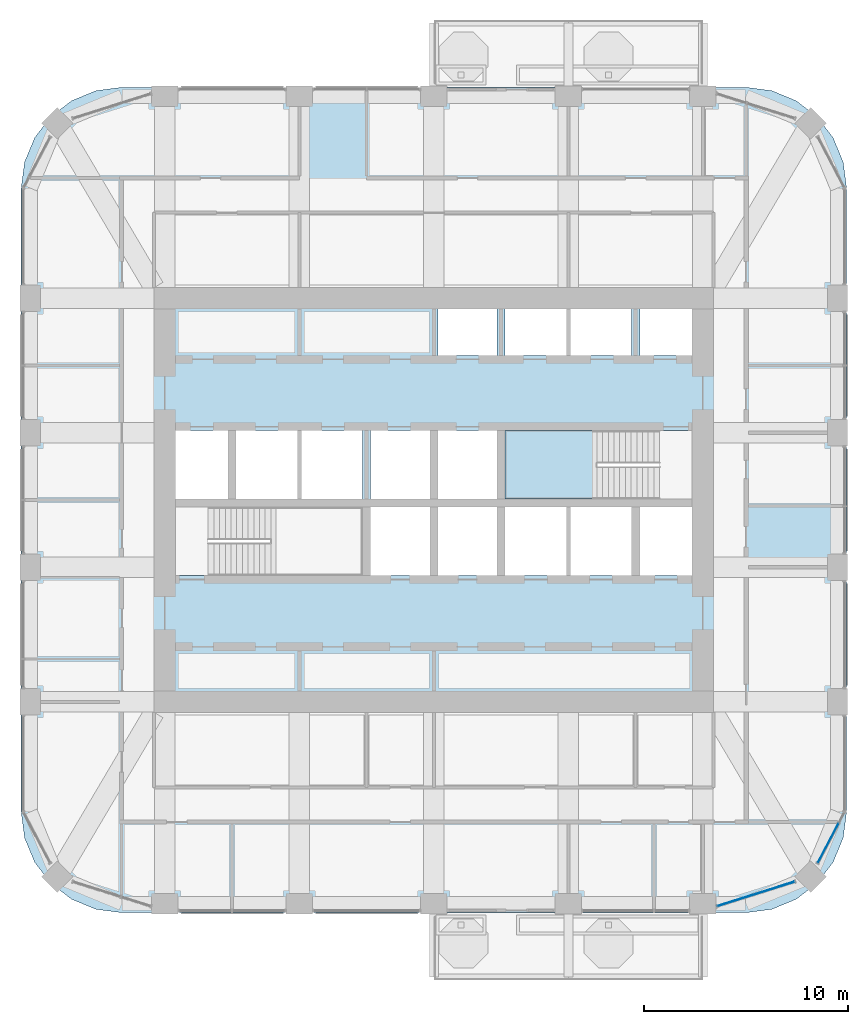
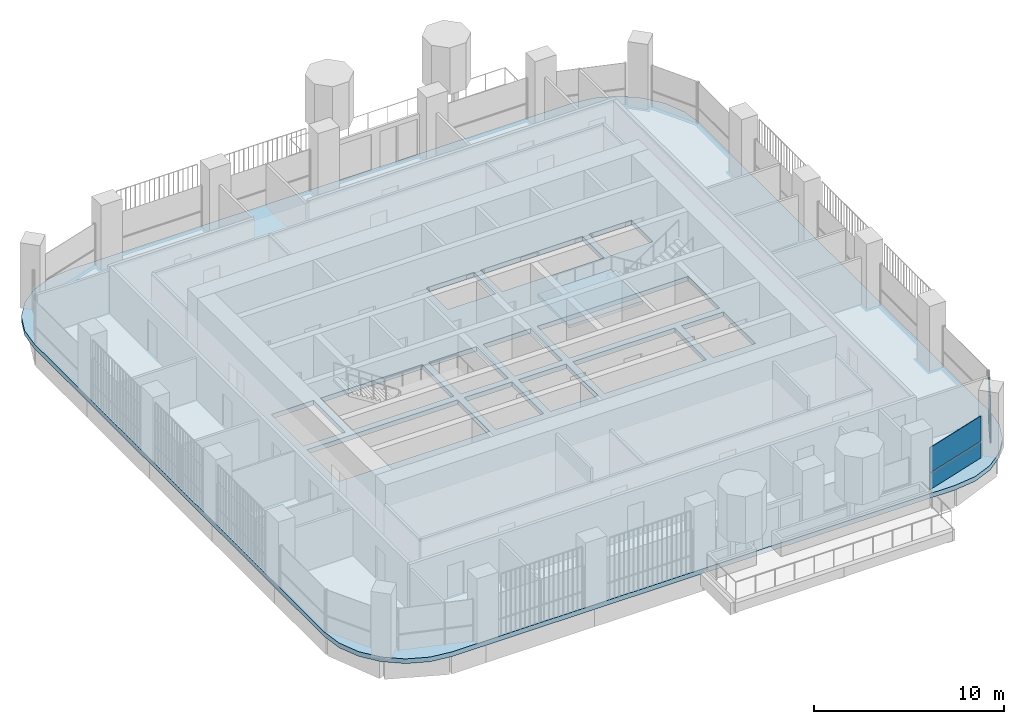
# One storey, part 10 of 20: 4 plates, 2 slabs, 3 elements without a shape of their own.
"""IFC4 building model written with IfcOpenShell, lengths in metres."""

from ifc_helpers import new_model, si_unit, direction, frame, origin, origin_2d, place, context, subcontext, project, spatial, polyline, rectangle, outline, extrude, material, layer, layer_set, type_object, element, aggregate, save


model = new_model("IFC4")

# Units and contexts
model_context = context("Model", 3, precision=1e-05, world=origin(), true_north=direction((0.0, 1.0)))
body_context = subcontext(model_context, "Body", "Model", "MODEL_VIEW")
ifc_project = project(units=[si_unit("LENGTHUNIT", "METRE"), si_unit("AREAUNIT", "SQUARE_METRE"), si_unit("VOLUMEUNIT", "CUBIC_METRE"), si_unit("PLANEANGLEUNIT", "RADIAN"), si_unit("MASSUNIT", "GRAM", prefix="KILO")], contexts=[model_context])

# Site, building, storey
site_placement = place(None, origin())
site = spatial("IfcSite", under=ifc_project, at=site_placement, CompositionType="ELEMENT")
building_placement = place(site_placement, origin())
building = spatial("IfcBuilding", under=site, at=building_placement, Name="Cobogo Forest Laboratory Tower", CompositionType="ELEMENT")
storey_placement = place(building_placement, frame((0.0, 0.0, 233.39990234375)))
storey = spatial("IfcBuildingStorey", under=building, at=storey_placement, Name="L53", CompositionType="ELEMENT", Elevation=233.39990234375)

# Slab
ifc_material_1 = material(Name="Concrete HA-40 (C40/50)", Category="concrete")
ifc_layer_1 = layer(ifc_material_1, 0.300048828125)
ifc_layer_set_1 = layer_set([ifc_layer_1], Name="Floor slab 300")
slab_type_1 = type_object("IfcSlabType", Name="Floor slab 300", PredefinedType="FLOOR", material=ifc_layer_set_1)
slab_1_placement = place(storey_placement, frame((0.0, 0.0, -0.2998046875)))
element("IfcSlab", 1, at=slab_1_placement, inside=storey, type_object=slab_type_1, Name="L53 floor slab", PredefinedType="FLOOR", context=body_context, shape_type="SweptSolid", body=[
    extrude(outline(polyline([(41.699951171875, 2.85009765625), (42.981201171875, 3.0185546875), (44.175048828125, 3.51318359375), (45.2001953125, 4.2998046875), (45.98681640625, 5.324951171875), (46.4814453125, 6.518798828125), (46.64990234375, 7.800048828125), (46.64990234375, 38.39990234375), (46.4814453125, 39.68115234375), (45.98681640625, 40.875), (45.2001953125, 41.900146484375), (44.175048828125, 42.686767578125), (42.981201171875, 43.181396484375), (41.699951171875, 43.35009765625), (11.10009765625, 43.35009765625), (9.81884765625, 43.181396484375), (8.625, 42.686767578125), (7.599853515625, 41.900146484375), (6.813232421875, 40.875), (6.318603515625, 39.68115234375), (6.14990234375, 38.39990234375), (6.14990234375, 7.800048828125), (6.318603515625, 6.518798828125), (6.813232421875, 5.324951171875), (7.599853515625, 4.2998046875), (8.625, 3.51318359375), (9.81884765625, 3.0185546875), (11.10009765625, 2.85009765625), (41.699951171875, 2.85009765625)]), holes=[polyline([(22.89990234375, 19.39990234375), (13.72509765625, 19.39990234375), (13.72509765625, 22.75), (22.89990234375, 22.75), (22.89990234375, 19.39990234375)]), polyline([(26.199951171875, 19.39990234375), (23.300048828125, 19.39990234375), (23.300048828125, 22.75), (26.199951171875, 22.75), (26.199951171875, 19.39990234375)]), polyline([(29.5, 19.39990234375), (26.60009765625, 19.39990234375), (26.60009765625, 22.75), (29.5, 22.75), (29.5, 19.39990234375)]), polyline([(36.10009765625, 22.75), (36.10009765625, 19.39990234375), (29.89990234375, 19.39990234375), (29.89990234375, 22.75), (36.10009765625, 22.75)]), polyline([(39.074951171875, 19.39990234375), (36.5, 19.39990234375), (36.5, 22.75), (39.074951171875, 22.75), (39.074951171875, 19.39990234375)]), polyline([(16.300048828125, 23.14990234375), (13.72509765625, 23.14990234375), (13.72509765625, 26.5), (16.300048828125, 26.5), (16.300048828125, 23.14990234375)]), polyline([(22.89990234375, 26.5), (22.89990234375, 23.14990234375), (16.699951171875, 23.14990234375), (16.699951171875, 26.5), (22.89990234375, 26.5)]), polyline([(26.199951171875, 23.14990234375), (23.300048828125, 23.14990234375), (23.300048828125, 26.5), (26.199951171875, 26.5), (26.199951171875, 23.14990234375)]), polyline([(29.5, 23.14990234375), (26.60009765625, 23.14990234375), (26.60009765625, 26.5), (29.5, 26.5), (29.5, 23.14990234375)]), polyline([(39.074951171875, 23.14990234375), (29.89990234375, 23.14990234375), (29.89990234375, 26.5), (39.074951171875, 26.5), (39.074951171875, 23.14990234375)]), polyline([(29.5, 30.199951171875), (26.60009765625, 30.199951171875), (26.60009765625, 32.47509765625), (29.5, 32.47509765625), (29.5, 30.199951171875)]), polyline([(36.10009765625, 32.47509765625), (36.10009765625, 30.199951171875), (29.89990234375, 30.199951171875), (29.89990234375, 32.47509765625), (36.10009765625, 32.47509765625)]), polyline([(39.074951171875, 30.199951171875), (36.5, 30.199951171875), (36.5, 32.47509765625), (39.074951171875, 32.47509765625), (39.074951171875, 30.199951171875)])]), origin(), (0.0, 0.0, 1.0), 0.2998046875),
])

# Curtain wall, plates
ifc_material_2 = material(Name="Aluminium curtain wall", Category="aluminium")
curtain_wall_type = type_object("IfcCurtainWallType", Name="CW-2 unitised curtain wall, solar control glazing, laboratory floors zones C and D", PredefinedType="USERDEFINED", material=ifc_material_2)
curtain_wall_1_placement = place(storey_placement, origin())
curtain_wall_1 = element("IfcCurtainWall", 2, at=curtain_wall_1_placement, inside=storey, type_object=curtain_wall_type, Name="Curtain wall 05 L53", ObjectType="UNITISED CURTAIN WALL", PredefinedType="USERDEFINED")
ifc_material_3 = material(Name="Solar control insulated glass", Category="glass")
ifc_layer_2 = layer(ifc_material_3, 0.031982421875)
ifc_layer_set_2 = layer_set([ifc_layer_2], Name="GP-2 solar control glass unit 32")
plate_type = type_object("IfcPlateType", Name="GP-2 solar control glass unit 32", PredefinedType="CURTAIN_PANEL", material=ifc_layer_set_2)
plate_1_placement = place(storey_placement, frame((42.200439453125, 3.771240234375, 0.0), z_axis=(0.0, 0.0, 1.0), x_axis=(0.953581331491, 0.301135591107, 0.0)))
plate_1 = element("IfcPlate", 3, at=plate_1_placement, type_object=plate_type, Name="CW-2 panel 1.1", PredefinedType="CURTAIN_PANEL", context=body_context, shape_type="SweptSolid", body=[
    extrude(rectangle(XDim=3.970947265625, YDim=0.031982421875, at=origin_2d()), origin(), (0.0, 0.0, 1.0), 1.02001953125),
])
plate_2_placement = place(storey_placement, frame((42.200439453125, 3.771240234375, 1.080078125), z_axis=(0.0, 0.0, 1.0), x_axis=(0.953581331491, 0.301135591107, 0.0)))
plate_2 = element("IfcPlate", 4, at=plate_2_placement, type_object=plate_type, Name="CW-2 panel 1.2", PredefinedType="CURTAIN_PANEL", context=body_context, shape_type="SweptSolid", body=[
    extrude(rectangle(XDim=3.970947265625, YDim=0.031982421875, at=origin_2d()), origin(), (0.0, 0.0, 1.0), 1.6201171875),
])
aggregate(curtain_wall_1, [plate_1, plate_2])

curtain_wall_2_placement = place(storey_placement, origin())
curtain_wall_2 = element("IfcCurtainWall", 5, at=curtain_wall_2_placement, inside=storey, type_object=curtain_wall_type, Name="Curtain wall 06 L53", ObjectType="UNITISED CURTAIN WALL", PredefinedType="USERDEFINED")
plate_3_placement = place(storey_placement, frame((45.74755859375, 6.269287109375, 0.0), z_axis=(0.0, 0.0, 1.0), x_axis=(0.464283804832, 0.885686484356, 0.0)))
plate_3 = element("IfcPlate", 6, at=plate_3_placement, type_object=plate_type, Name="CW-2 panel 1.1", PredefinedType="CURTAIN_PANEL", context=body_context, shape_type="SweptSolid", body=[
    extrude(rectangle(XDim=2.183837890625, YDim=0.031982421875, at=origin_2d()), origin(), (0.0, 0.0, 1.0), 1.02001953125),
])
plate_4_placement = place(storey_placement, frame((45.74755859375, 6.269287109375, 1.080078125), z_axis=(0.0, 0.0, 1.0), x_axis=(0.464283804832, 0.885686484356, 0.0)))
plate_4 = element("IfcPlate", 7, at=plate_4_placement, type_object=plate_type, Name="CW-2 panel 1.2", PredefinedType="CURTAIN_PANEL", context=body_context, shape_type="SweptSolid", body=[
    extrude(rectangle(XDim=2.183837890625, YDim=0.031982421875, at=origin_2d()), origin(), (0.0, 0.0, 1.0), 1.6201171875),
])
aggregate(curtain_wall_2, [plate_3, plate_4])

# Stair, slab
ifc_material_4 = material(Name="Precast concrete HA-40 (C40/50)", Category="concrete")
stair_type = type_object("IfcStairType", Name="ST24 exit stair 24 risers", PredefinedType="HALF_TURN_STAIR", material=ifc_material_4)
stair_placement = place(storey_placement, origin())
stair = element("IfcStair", 8, at=stair_placement, inside=storey, type_object=stair_type, Name="Stair 2 L53 to L54", PredefinedType="HALF_TURN_STAIR")
ifc_layer_3 = layer(ifc_material_1, 0.199951171875)
ifc_layer_set_3 = layer_set([ifc_layer_3], Name="SL stair landing 200")
slab_type_2 = type_object("IfcSlabType", Name="SL stair landing 200", PredefinedType="LANDING", material=ifc_layer_set_3)
slab_2_placement = place(storey_placement, frame((0.0, 0.0, 1.900146484375)))
slab_2 = element("IfcSlab", 9, at=slab_2_placement, type_object=slab_type_2, Name="ST2 landing 2", PredefinedType="LANDING", context=body_context, shape_type="SweptSolid", body=[
    extrude(outline(polyline([(29.89990234375, 23.14990234375), (34.39697265625, 23.14990234375), (34.39697265625, 26.5), (29.89990234375, 26.5), (29.89990234375, 23.14990234375)])), origin(), (0.0, 0.0, 1.0), 0.199951171875),
])
aggregate(stair, [slab_2])

save(model, "model.ifc")
